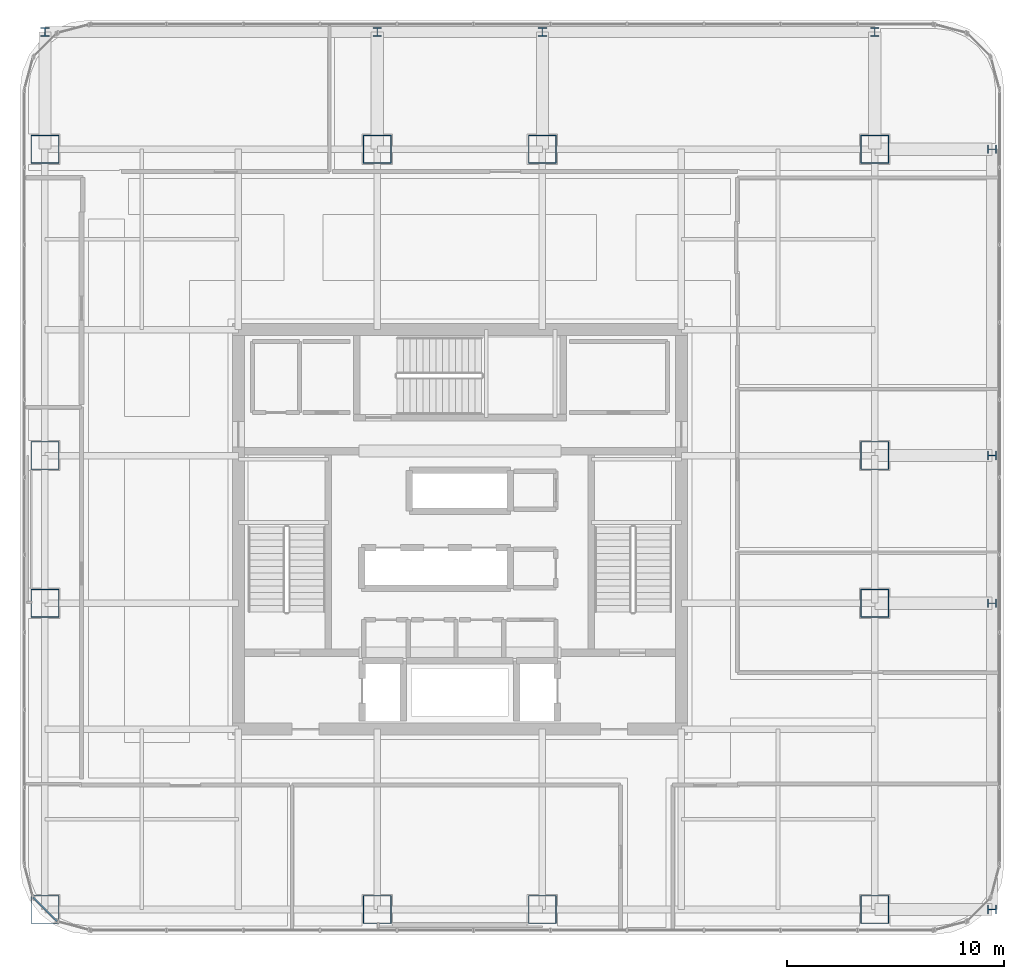
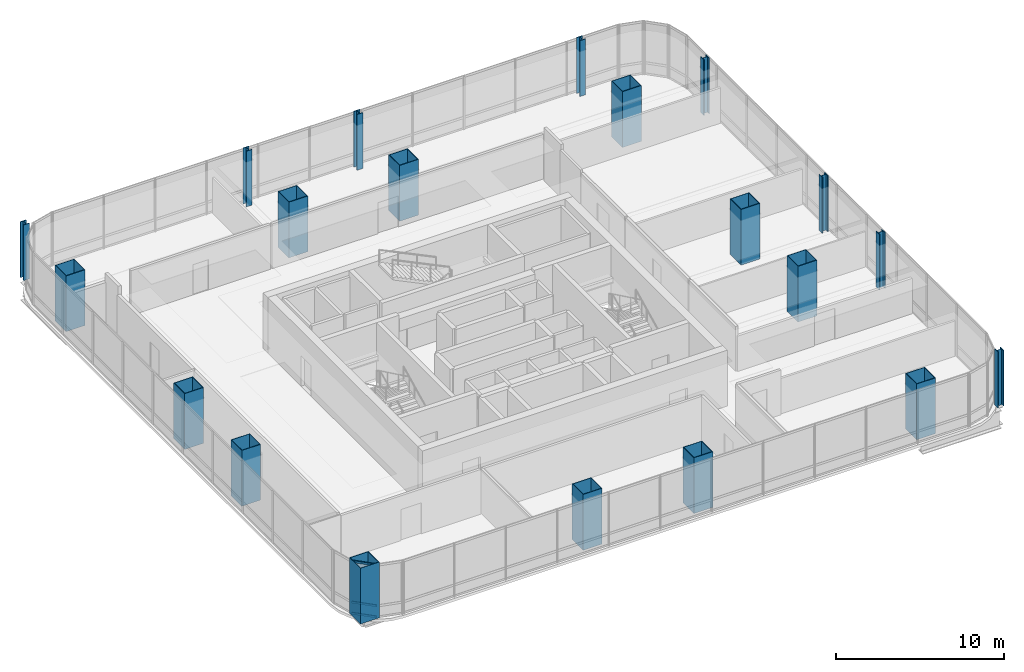
# One storey, part 1 of 42: 20 columns, 3 members, 1 element without a shape of its own.
"""IFC4 building model written with IfcOpenShell, lengths in metres."""

from ifc_helpers import new_model, si_unit, direction, frame, origin, origin_2d, place, context, subcontext, project, spatial, hollow_rectangle, i_section, extrude, material, material_profile, profile_set, type_object, element, aggregate, save


model = new_model("IFC4")

# Units and contexts
model_context = context("Model", 3, precision=1e-05, world=origin(), true_north=direction((0.0, 1.0)))
body_context = subcontext(model_context, "Body", "Model", "MODEL_VIEW")
ifc_project = project(units=[si_unit("LENGTHUNIT", "METRE"), si_unit("AREAUNIT", "SQUARE_METRE"), si_unit("VOLUMEUNIT", "CUBIC_METRE"), si_unit("PLANEANGLEUNIT", "RADIAN"), si_unit("MASSUNIT", "GRAM", prefix="KILO")], contexts=[model_context])

# Site, building, storey
site_placement = place(None, origin())
site = spatial("IfcSite", under=ifc_project, at=site_placement, CompositionType="ELEMENT")
building_placement = place(site_placement, origin())
building = spatial("IfcBuilding", under=site, at=building_placement, Name="Punatoya Terracotta Tower", CompositionType="ELEMENT")
storey_placement = place(building_placement, frame((0.0, 0.0, 259.5)))
storey = spatial("IfcBuildingStorey", under=building, at=storey_placement, Name="L61", CompositionType="ELEMENT", Elevation=259.5)

# Columns
ifc_material_1 = material(Name="Steel S460", Category="steel")
ifc_material_profile_1 = material_profile(ifc_material_1, i_section(OverallWidth=0.406005859375, OverallDepth=0.416015625, WebThickness=0.029052734375, FlangeThickness=0.048095703125, FilletRadius=0.01806640625, at=origin_2d()))
ifc_profile_set_1 = profile_set([ifc_material_profile_1], Name="Steel S460")
column_type_1 = type_object("IfcColumnType", Name="COL-EX-M3", PredefinedType="COLUMN", material=ifc_profile_set_1)
for number, where, z_axis, x_axis, name in (
    (1, (-19.10009765625, 22.89990234375, 0.0), (0.0, 0.0, 1.0), (1.0, 0.0, 0.0), "L61 Exoskeleton Perimeter Column N1"),
    (2, (-3.800048828125, 22.89990234375, 0.0), (0.0, 0.0, 1.0), (1.0, 0.0, 0.0), "L61 Exoskeleton Perimeter Column N2"),
    (3, (3.800048828125, 22.89990234375, 0.0), (0.0, 0.0, 1.0), (1.0, 0.0, 0.0), "L61 Exoskeleton Perimeter Column N3"),
    (4, (19.10009765625, 22.89990234375, 0.0), (0.0, 0.0, 1.0), (1.0, 0.0, 0.0), "L61 Exoskeleton Perimeter Column N4"),
    (5, (24.5, -17.5, 0.0), (0.0, 0.0, 1.0), (0.0, 1.0, 0.0), "L61 Exoskeleton Perimeter Column E1"),
    (6, (24.5, -3.39990234375, 0.0), (0.0, 0.0, 1.0), (0.0, 1.0, 0.0), "L61 Exoskeleton Perimeter Column E2"),
    (7, (24.5, 3.39990234375, 0.0), (0.0, 0.0, 1.0), (0.0, 1.0, 0.0), "L61 Exoskeleton Perimeter Column E3"),
    (8, (24.5, 17.5, 0.0), (0.0, 0.0, 1.0), (0.0, 1.0, 0.0), "L61 Exoskeleton Perimeter Column E4"),
):
    element("IfcColumn", number, at=place(storey_placement, frame(where, z_axis=z_axis, x_axis=x_axis)), inside=storey, type_object=column_type_1, Name=name, PredefinedType="COLUMN", context=body_context, shape_type="SweptSolid", body=[
        extrude(i_section(OverallWidth=0.406005859375, OverallDepth=0.416015625, WebThickness=0.029052734375, FlangeThickness=0.048095703125, FilletRadius=0.01806640625, at=origin_2d()), origin(), (0.0, 0.0, 1.0), 4.048095703125),
    ])
ifc_material_profile_2 = material_profile(ifc_material_1, hollow_rectangle(XDim=1.300048828125, YDim=1.300048828125, WallThickness=0.0380859375, at=origin_2d()))
ifc_profile_set_2 = profile_set([ifc_material_profile_2], Name="Steel S460")
column_type_2 = type_object("IfcColumnType", Name="COL-MC-Z3", PredefinedType="COLUMN", material=ifc_profile_set_2)
for number, where, z_axis, x_axis, name in (
    (9, (-19.10009765625, -17.5, 0.0), (0.0, 0.0, 1.0), (1.0, 0.0, 0.0), "L61 Composite Mega-Column MC-01 (3-B)"),
    (10, (-3.800048828125, -17.5, 0.0), (0.0, 0.0, 1.0), (1.0, 0.0, 0.0), "L61 Composite Mega-Column MC-02 (5-B)"),
    (11, (3.800048828125, -17.5, 0.0), (0.0, 0.0, 1.0), (1.0, 0.0, 0.0), "L61 Composite Mega-Column MC-03 (7-B)"),
    (12, (19.10009765625, -17.5, 0.0), (0.0, 0.0, 1.0), (1.0, 0.0, 0.0), "L61 Composite Mega-Column MC-04 (9-B)"),
    (13, (19.10009765625, -3.39990234375, 0.0), (0.0, 0.0, 1.0), (1.0, 0.0, 0.0), "L61 Composite Mega-Column MC-05 (9-D)"),
    (14, (19.10009765625, 3.39990234375, 0.0), (0.0, 0.0, 1.0), (1.0, 0.0, 0.0), "L61 Composite Mega-Column MC-06 (9-E)"),
    (15, (19.10009765625, 17.5, 0.0), (0.0, 0.0, 1.0), (1.0, 0.0, 0.0), "L61 Composite Mega-Column MC-07 (9-G)"),
    (16, (3.800048828125, 17.5, 0.0), (0.0, 0.0, 1.0), (1.0, 0.0, 0.0), "L61 Composite Mega-Column MC-08 (7-G)"),
    (17, (-3.800048828125, 17.5, 0.0), (0.0, 0.0, 1.0), (1.0, 0.0, 0.0), "L61 Composite Mega-Column MC-09 (5-G)"),
    (18, (-19.10009765625, 17.5, 0.0), (0.0, 0.0, 1.0), (1.0, 0.0, 0.0), "L61 Composite Mega-Column MC-10 (3-G)"),
    (19, (-19.10009765625, 3.39990234375, 0.0), (0.0, 0.0, 1.0), (1.0, 0.0, 0.0), "L61 Composite Mega-Column MC-11 (3-E)"),
    (20, (-19.10009765625, -3.39990234375, 0.0), (0.0, 0.0, 1.0), (1.0, 0.0, 0.0), "L61 Composite Mega-Column MC-12 (3-D)"),
):
    element("IfcColumn", number, at=place(storey_placement, frame(where, z_axis=z_axis, x_axis=x_axis)), inside=storey, type_object=column_type_2, Name=name, PredefinedType="COLUMN", context=body_context, shape_type="SweptSolid", body=[
        extrude(hollow_rectangle(XDim=1.300048828125, YDim=1.300048828125, WallThickness=0.0380859375, at=origin_2d()), origin(), (0.0, 0.0, 1.0), 4.050048828125),
    ])

# Curtain wall, members
ifc_material_2 = material(Name="Aluminium 6063-T6 + Double Low-E Glass", Category="aluminium")
curtain_wall_type = type_object("IfcCurtainWallType", Name="CW-M3", PredefinedType="NOTDEFINED", material=ifc_material_2)
curtain_wall_placement = place(storey_placement, origin())
curtain_wall = element("IfcCurtainWall", 21, at=curtain_wall_placement, inside=storey, type_object=curtain_wall_type, Name="L61 Curtain Wall CW-L61-CRN15", PredefinedType="NOTDEFINED")
ifc_material_3 = material(Name="Aluminium 6063-T6", Category="aluminium")
ifc_material_profile_3 = material_profile(ifc_material_3, hollow_rectangle(XDim=0.068115234375, YDim=0.14990234375, WallThickness=0.00390625, at=origin_2d()))
ifc_profile_set_3 = profile_set([ifc_material_profile_3], Name="Aluminium 6063-T6")
member_type = type_object("IfcMemberType", Name="CW-TRN-TYP", PredefinedType="USERDEFINED", material=ifc_profile_set_3)
member_1_placement = place(storey_placement, frame((-19.646484375, -16.94921875, 0.0400390625), z_axis=(0.707106781187, -0.707106781187, 0.0), x_axis=(0.707106781187, 0.707106781187, 0.0)))
member_1 = element("IfcMember", 22, at=member_1_placement, type_object=member_type, Name="CW-L61-CRN15 Transom 1", ObjectType="TRANSOM", PredefinedType="USERDEFINED", context=body_context, shape_type="SweptSolid", body=[
    extrude(hollow_rectangle(XDim=0.068115234375, YDim=0.14990234375, WallThickness=0.00390625, at=origin_2d()), origin(), (0.0, 0.0, 1.0), 1.552001953125),
])
member_2_placement = place(storey_placement, frame((-19.646484375, -16.94921875, 0.85009765625), z_axis=(0.707106781187, -0.707106781187, 0.0), x_axis=(0.707106781187, 0.707106781187, 0.0)))
member_2 = element("IfcMember", 23, at=member_2_placement, type_object=member_type, Name="CW-L61-CRN15 Transom 2", ObjectType="TRANSOM", PredefinedType="USERDEFINED", context=body_context, shape_type="SweptSolid", body=[
    extrude(hollow_rectangle(XDim=0.068115234375, YDim=0.14990234375, WallThickness=0.00390625, at=origin_2d()), origin(), (0.0, 0.0, 1.0), 1.552001953125),
])
member_3_placement = place(storey_placement, frame((-19.646484375, -16.94921875, 3.81005859375), z_axis=(0.707106781187, -0.707106781187, 0.0), x_axis=(0.707106781187, 0.707106781187, 0.0)))
member_3 = element("IfcMember", 24, at=member_3_placement, type_object=member_type, Name="CW-L61-CRN15 Transom 3", ObjectType="TRANSOM", PredefinedType="USERDEFINED", context=body_context, shape_type="SweptSolid", body=[
    extrude(hollow_rectangle(XDim=0.068115234375, YDim=0.14990234375, WallThickness=0.00390625, at=origin_2d()), origin(), (0.0, 0.0, 1.0), 1.552001953125),
])
aggregate(curtain_wall, [member_1, member_2, member_3])

save(model, "model.ifc")
